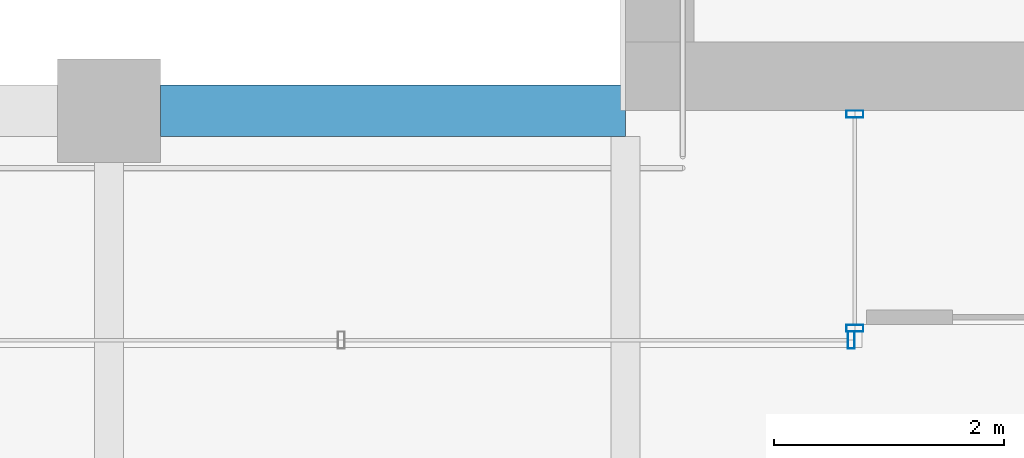
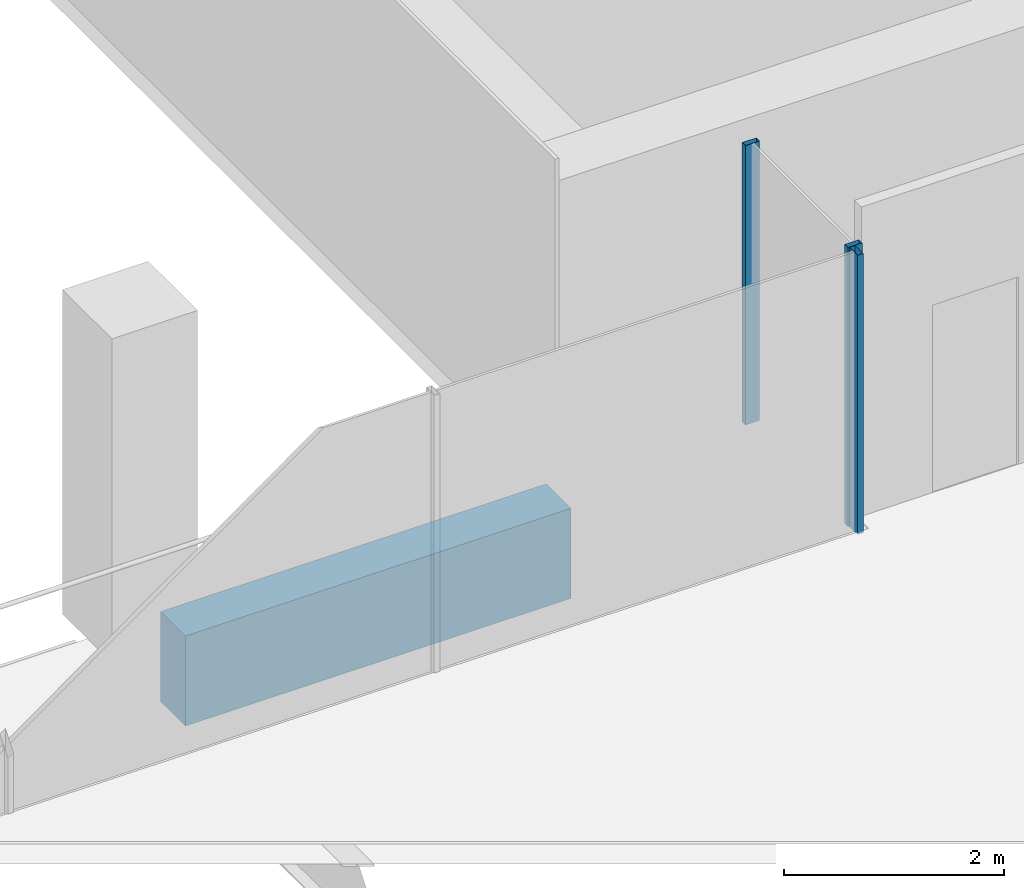
# One storey, part 6 of 40: 3 members, 1 beam, 2 elements without a shape of their own.
"""IFC4 building model written with IfcOpenShell, lengths in metres."""

from ifc_helpers import new_model, si_unit, direction, frame, origin, origin_2d, place, context, subcontext, project, spatial, rectangle, hollow_rectangle, extrude, material, material_profile, profile_set, type_object, element, aggregate, save


model = new_model("IFC4")

# Units and contexts
model_context = context("Model", 3, precision=1e-05, world=origin(), true_north=direction((0.0, 1.0)))
body_context = subcontext(model_context, "Body", "Model", "MODEL_VIEW")
ifc_project = project(units=[si_unit("LENGTHUNIT", "METRE"), si_unit("AREAUNIT", "SQUARE_METRE"), si_unit("VOLUMEUNIT", "CUBIC_METRE"), si_unit("PLANEANGLEUNIT", "RADIAN"), si_unit("MASSUNIT", "GRAM", prefix="KILO")], contexts=[model_context])

# Site, building, storey
site_placement = place(None, origin())
site = spatial("IfcSite", under=ifc_project, at=site_placement, CompositionType="ELEMENT")
building_placement = place(site_placement, origin())
building = spatial("IfcBuilding", under=site, at=building_placement, Name="Altepetl Exchange Towers", CompositionType="ELEMENT")
storey_placement = place(building_placement, frame((0.0, 0.0, 147.39990234375)))
storey = spatial("IfcBuildingStorey", under=building, at=storey_placement, Name="L36", CompositionType="ELEMENT", Elevation=147.39990234375)

# Curtain wall, members
ifc_material_1 = material(Name="Aluminium 6063-T6 glazing", Category="aluminium")
curtain_wall_type = type_object("IfcCurtainWallType", Name="Loggia glazing system", PredefinedType="NOTDEFINED", material=ifc_material_1)
curtain_wall_1_placement = place(storey_placement, origin())
curtain_wall_1 = element("IfcCurtainWall", 1, at=curtain_wall_1_placement, inside=storey, type_object=curtain_wall_type, Name="CW1 run", PredefinedType="NOTDEFINED")
ifc_material_2 = material(Name="Aluminium 6063-T6", Category="aluminium")
ifc_material_profile_1 = material_profile(ifc_material_2, hollow_rectangle(XDim=0.06005859375, YDim=0.14990234375, WallThickness=0.0029296875, at=origin_2d()), Name="Mullion 60x150 aluminium")
ifc_profile_set_1 = profile_set([ifc_material_profile_1], Name="Aluminium 6063-T6")
member_type = type_object("IfcMemberType", Name="Mullion 60x150 aluminium", PredefinedType="MULLION", material=ifc_profile_set_1)
member_1_placement = place(storey_placement, frame((42.5, 40.469970703125, 0.0), z_axis=(0.0, 0.0, 1.0), x_axis=(0.0, -1.0, 0.0)))
member_1 = element("IfcMember", 2, at=member_1_placement, type_object=member_type, Name="MU1 mullion", PredefinedType="MULLION", context=body_context, shape_type="SweptSolid", body=[
    extrude(hollow_rectangle(XDim=0.06005859375, YDim=0.14990234375, WallThickness=0.0029296875, at=origin_2d()), origin(), (0.0, 0.0, 1.0), 3.10009765625),
])
member_2_placement = place(storey_placement, frame((42.5, 38.60498046875, 0.0), z_axis=(0.0, 0.0, 1.0), x_axis=(0.0, -1.0, 0.0)))
member_2 = element("IfcMember", 3, at=member_2_placement, type_object=member_type, Name="MU1 mullion", PredefinedType="MULLION", context=body_context, shape_type="SweptSolid", body=[
    extrude(hollow_rectangle(XDim=0.06005859375, YDim=0.14990234375, WallThickness=0.0029296875, at=origin_2d()), origin(), (0.0, 0.0, 1.0), 3.10009765625),
])
aggregate(curtain_wall_1, [member_1, member_2])

# Curtain wall, member
curtain_wall_2_placement = place(storey_placement, origin())
curtain_wall_2 = element("IfcCurtainWall", 4, at=curtain_wall_2_placement, inside=storey, type_object=curtain_wall_type, Name="CW1 run", PredefinedType="NOTDEFINED")
member_3_placement = place(storey_placement, frame((42.469970703125, 38.5, 0.0), z_axis=(0.0, 0.0, 1.0), x_axis=(-1.0, 0.0, 0.0)))
member_3 = element("IfcMember", 5, at=member_3_placement, type_object=member_type, Name="MU1 mullion", PredefinedType="MULLION", context=body_context, shape_type="SweptSolid", body=[
    extrude(hollow_rectangle(XDim=0.06005859375, YDim=0.14990234375, WallThickness=0.0029296875, at=origin_2d()), origin(), (0.0, 0.0, 1.0), 3.10009765625),
])
aggregate(curtain_wall_2, [member_3])

# Beam
ifc_material_3 = material(Name="Concrete C50/60 precast with tezontle facing", Category="concrete")
ifc_material_profile_2 = material_profile(ifc_material_3, rectangle(XDim=0.449951171875, YDim=1.0, at=origin_2d()), Name="450 x 1000")
ifc_profile_set_2 = profile_set([ifc_material_profile_2], Name="Concrete C50/60 precast with tezontle facing")
beam_type = type_object("IfcBeamType", Name="Spandrel beam 450x1000 tezontle", PredefinedType="SPANDREL", material=ifc_profile_set_2)
beam_placement = place(storey_placement, frame((40.5, 40.5, -0.64990234375), z_axis=(-1.0, 0.0, 0.0), x_axis=(0.0, -1.0, 0.0)))
element("IfcBeam", 6, at=beam_placement, inside=storey, type_object=beam_type, Name="sp:A:L36:033", PredefinedType="SPANDREL", context=body_context, shape_type="SweptSolid", body=[
    extrude(rectangle(XDim=0.449951171875, YDim=1.0, at=origin_2d()), origin(), (0.0, 0.0, 1.0), 4.050048828125),
])

save(model, "model.ifc")
